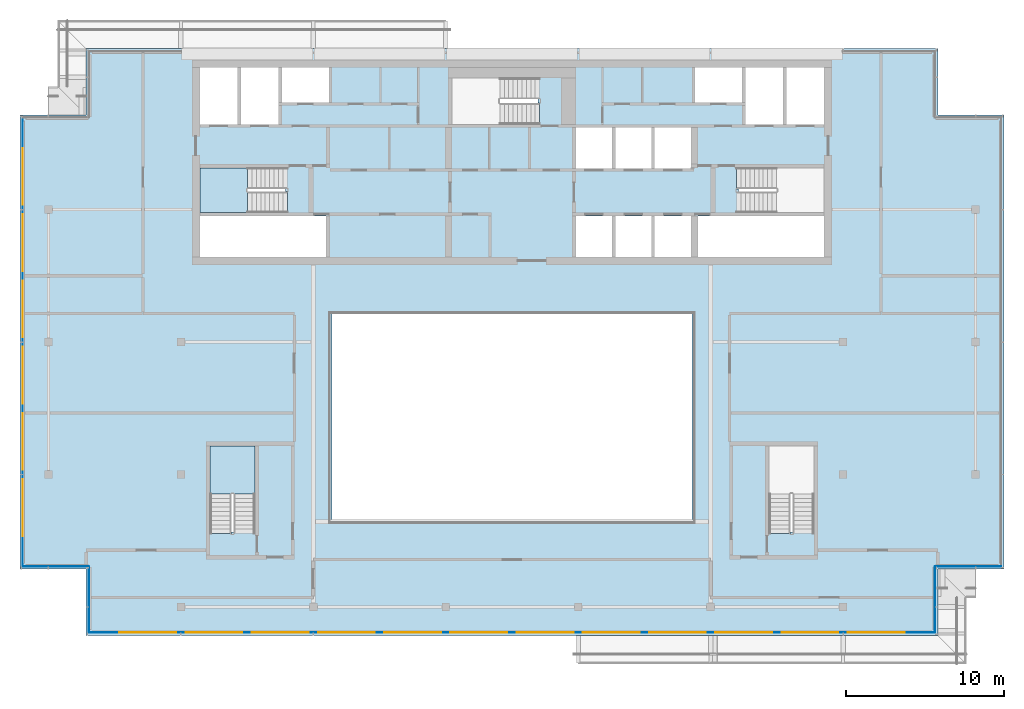
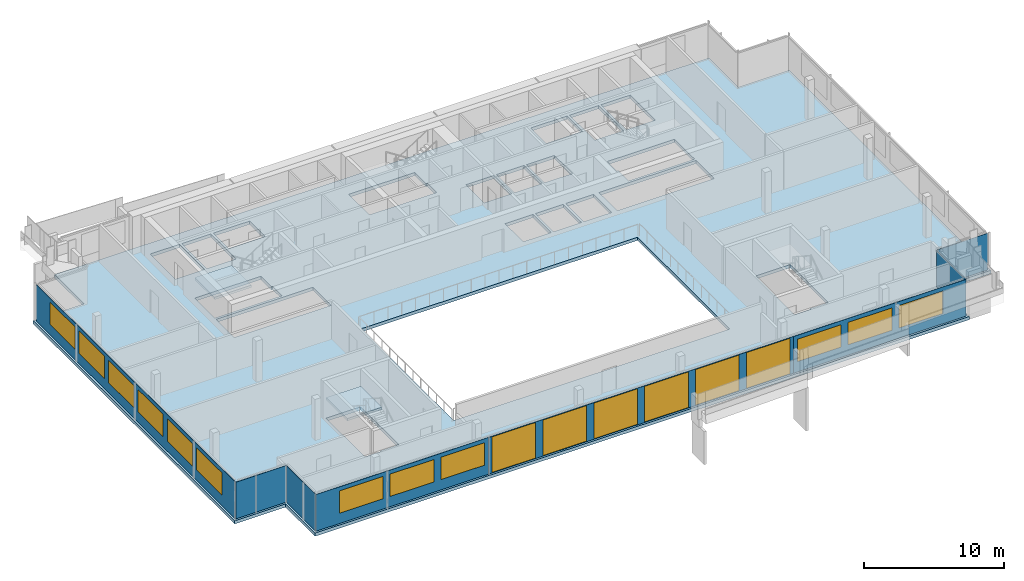
# One storey, part 10 of 21: 18 windows, 8 plates, 3 slabs, 18 openings, 8 elements without a shape of their own.
"""IFC4 building model written with IfcOpenShell, lengths in metres."""

from ifc_helpers import new_model, si_unit, direction, frame, frame_2d, origin, place, context, subcontext, project, spatial, polyline, rectangle, outline, extrude, material, layer, layer_set, type_object, element, fill, aggregate, save


model = new_model("IFC4")

# Units and contexts
model_context = context("Model", 3, precision=1e-05, world=origin(), true_north=direction((0.0, 1.0)))
body_context = subcontext(model_context, "Body", "Model", "MODEL_VIEW")
ifc_project = project(units=[si_unit("LENGTHUNIT", "METRE"), si_unit("AREAUNIT", "SQUARE_METRE"), si_unit("VOLUMEUNIT", "CUBIC_METRE"), si_unit("PLANEANGLEUNIT", "RADIAN"), si_unit("MASSUNIT", "GRAM", prefix="KILO")], contexts=[model_context])

# Site, building, storey
site_placement = place(None, origin())
site = spatial("IfcSite", under=ifc_project, at=site_placement, CompositionType="ELEMENT")
building_placement = place(site_placement, origin())
building = spatial("IfcBuilding", under=site, at=building_placement, Name="Saffron Gate Tower", CompositionType="ELEMENT")
storey_placement = place(building_placement, frame((0.0, 0.0, 299.550048828125)))
storey = spatial("IfcBuildingStorey", under=building, at=storey_placement, Name="L73", CompositionType="ELEMENT", Elevation=299.550048828125)

# Curtain wall, plates, openings, windows
ifc_material_1 = material(Name="Aluminium, bronze anodised", Category="aluminium")
curtain_wall_type_1 = type_object("IfcCurtainWallType", Name="CWS1 curtain wall front facade", PredefinedType="NOTDEFINED", material=ifc_material_1)
curtain_wall_1_placement = place(storey_placement, origin())
curtain_wall_1 = element("IfcCurtainWall", 1, at=curtain_wall_1_placement, inside=storey, type_object=curtain_wall_type_1, Name="CWS1 run 1", PredefinedType="NOTDEFINED")
ifc_material_2 = material(Name="Clear low-iron laminated glass", Category="glass")
ifc_layer_1 = layer(ifc_material_2, 0.028076171875)
ifc_layer_set_1 = layer_set([ifc_layer_1], Name="CWS1 clear glass")
plate_type_1 = type_object("IfcPlateType", Name="CWS1 clear glass", PredefinedType="CURTAIN_PANEL", material=ifc_layer_set_1)
plate_1_placement = place(storey_placement, frame((75.030029296875, 38.573974609375, 0.0), z_axis=(0.0, 0.0, 1.0), x_axis=(1.0, 0.0, 0.0)))
plate_1 = element("IfcPlate", 2, at=plate_1_placement, type_object=plate_type_1, Name="CWS1 clear glass panel", PredefinedType="CURTAIN_PANEL", context=body_context, shape_type="SweptSolid", body=[
    extrude(rectangle(XDim=25.139892578125, YDim=0.028076171875, at=frame_2d((12.56982421875, 0.0))), origin(), (0.0, 0.0, 1.0), 3.199951171875),
])
opening_1_placement = place(plate_1_placement, frame((0.27001953125, 0.0, 0.050048828125)))
opening_1 = element("IfcOpeningElement", 3, at=opening_1_placement, cuts=plate_1, Name="Opening WA", PredefinedType="OPENING", context=body_context, shape_type="SweptSolid", body=[
    extrude(rectangle(XDim=3.60009765625, YDim=3.10009765625, at=frame_2d((1.800048828125, 1.550048828125))), frame((0.0, 0.02392578125, 0.0), z_axis=(0.0, -1.0, 0.0), x_axis=(1.0, 0.0, 0.0)), (0.0, 0.0, 1.0), 0.048095703125),
])
opening_2_placement = place(plate_1_placement, frame((4.469970703125, 0.0, 0.050048828125)))
opening_2 = element("IfcOpeningElement", 4, at=opening_2_placement, cuts=plate_1, Name="Opening WA", PredefinedType="OPENING", context=body_context, shape_type="SweptSolid", body=[
    extrude(rectangle(XDim=3.60009765625, YDim=3.10009765625, at=frame_2d((1.800048828125, 1.550048828125))), frame((0.0, 0.02392578125, 0.0), z_axis=(0.0, -1.0, 0.0), x_axis=(1.0, 0.0, 0.0)), (0.0, 0.0, 1.0), 0.048095703125),
])
opening_3_placement = place(plate_1_placement, frame((8.669921875, 0.0, 0.050048828125)))
opening_3 = element("IfcOpeningElement", 5, at=opening_3_placement, cuts=plate_1, Name="Opening WA", PredefinedType="OPENING", context=body_context, shape_type="SweptSolid", body=[
    extrude(rectangle(XDim=3.60009765625, YDim=3.10009765625, at=frame_2d((1.800048828125, 1.550048828125))), frame((0.0, 0.02392578125, 0.0), z_axis=(0.0, -1.0, 0.0), x_axis=(1.0, 0.0, 0.0)), (0.0, 0.0, 1.0), 0.048095703125),
])
opening_4_placement = place(plate_1_placement, frame((12.8701171875, 0.0, 0.050048828125)))
opening_4 = element("IfcOpeningElement", 6, at=opening_4_placement, cuts=plate_1, Name="Opening WA", PredefinedType="OPENING", context=body_context, shape_type="SweptSolid", body=[
    extrude(rectangle(XDim=3.60009765625, YDim=3.10009765625, at=frame_2d((1.800048828125, 1.550048828125))), frame((0.0, 0.02392578125, 0.0), z_axis=(0.0, -1.0, 0.0), x_axis=(1.0, 0.0, 0.0)), (0.0, 0.0, 1.0), 0.048095703125),
])
opening_5_placement = place(plate_1_placement, frame((17.070068359375, 0.0, 0.050048828125)))
opening_5 = element("IfcOpeningElement", 7, at=opening_5_placement, cuts=plate_1, Name="Opening WA", PredefinedType="OPENING", context=body_context, shape_type="SweptSolid", body=[
    extrude(rectangle(XDim=3.60009765625, YDim=3.10009765625, at=frame_2d((1.800048828125, 1.550048828125))), frame((0.0, 0.02392578125, 0.0), z_axis=(0.0, -1.0, 0.0), x_axis=(1.0, 0.0, 0.0)), (0.0, 0.0, 1.0), 0.048095703125),
])
opening_6_placement = place(plate_1_placement, frame((21.27001953125, 0.0, 0.050048828125)))
opening_6 = element("IfcOpeningElement", 8, at=opening_6_placement, cuts=plate_1, Name="Opening WA", PredefinedType="OPENING", context=body_context, shape_type="SweptSolid", body=[
    extrude(rectangle(XDim=3.60009765625, YDim=3.10009765625, at=frame_2d((1.800048828125, 1.550048828125))), frame((0.0, 0.02392578125, 0.0), z_axis=(0.0, -1.0, 0.0), x_axis=(1.0, 0.0, 0.0)), (0.0, 0.0, 1.0), 0.048095703125),
])
ifc_material_3 = material(Name="Clear low-iron laminated glass in bronze frame", Category="glass")
ifc_layer_2 = layer(ifc_material_3, 0.06005859375)
ifc_layer_set_2 = layer_set([ifc_layer_2], Name="WA operable atrium unit 3600x3100")
window_type_1 = type_object("IfcWindowType", Name="WA operable atrium unit 3600x3100", PartitioningType="DOUBLE_PANEL_HORIZONTAL", PredefinedType="WINDOW", material=ifc_layer_set_2)
window_1_placement = place(opening_1_placement, origin())
window_1 = element("IfcWindow", 9, at=window_1_placement, type_object=window_type_1, Name="WA operable atrium unit", OverallHeight=3.10009765625, OverallWidth=3.60009765625, PartitioningType="SINGLE_PANEL", PredefinedType="WINDOW", context=body_context, shape_type="SweptSolid", body=[
    extrude(rectangle(XDim=3.60009765625, YDim=3.10009765625, at=frame_2d((1.800048828125, 1.550048828125))), frame((0.0, 0.013671875, 0.0), z_axis=(0.0, -1.0, 0.0), x_axis=(1.0, 0.0, 0.0)), (0.0, 0.0, 1.0), 0.027587890625),
])
fill(opening_1, window_1)
window_2_placement = place(opening_2_placement, origin())
window_2 = element("IfcWindow", 10, at=window_2_placement, type_object=window_type_1, Name="WA operable atrium unit", OverallHeight=3.10009765625, OverallWidth=3.60009765625, PartitioningType="SINGLE_PANEL", PredefinedType="WINDOW", context=body_context, shape_type="SweptSolid", body=[
    extrude(rectangle(XDim=3.60009765625, YDim=3.10009765625, at=frame_2d((1.800048828125, 1.550048828125))), frame((0.0, 0.013671875, 0.0), z_axis=(0.0, -1.0, 0.0), x_axis=(1.0, 0.0, 0.0)), (0.0, 0.0, 1.0), 0.027587890625),
])
fill(opening_2, window_2)
window_3_placement = place(opening_3_placement, origin())
window_3 = element("IfcWindow", 11, at=window_3_placement, type_object=window_type_1, Name="WA operable atrium unit", OverallHeight=3.10009765625, OverallWidth=3.60009765625, PartitioningType="SINGLE_PANEL", PredefinedType="WINDOW", context=body_context, shape_type="SweptSolid", body=[
    extrude(rectangle(XDim=3.60009765625, YDim=3.10009765625, at=frame_2d((1.800048828125, 1.550048828125))), frame((0.0, 0.013671875, 0.0), z_axis=(0.0, -1.0, 0.0), x_axis=(1.0, 0.0, 0.0)), (0.0, 0.0, 1.0), 0.027587890625),
])
fill(opening_3, window_3)
window_4_placement = place(opening_4_placement, origin())
window_4 = element("IfcWindow", 12, at=window_4_placement, type_object=window_type_1, Name="WA operable atrium unit", OverallHeight=3.10009765625, OverallWidth=3.60009765625, PartitioningType="SINGLE_PANEL", PredefinedType="WINDOW", context=body_context, shape_type="SweptSolid", body=[
    extrude(rectangle(XDim=3.60009765625, YDim=3.10009765625, at=frame_2d((1.800048828125, 1.550048828125))), frame((0.0, 0.013671875, 0.0), z_axis=(0.0, -1.0, 0.0), x_axis=(1.0, 0.0, 0.0)), (0.0, 0.0, 1.0), 0.027587890625),
])
fill(opening_4, window_4)
window_5_placement = place(opening_5_placement, origin())
window_5 = element("IfcWindow", 13, at=window_5_placement, type_object=window_type_1, Name="WA operable atrium unit", OverallHeight=3.10009765625, OverallWidth=3.60009765625, PartitioningType="SINGLE_PANEL", PredefinedType="WINDOW", context=body_context, shape_type="SweptSolid", body=[
    extrude(rectangle(XDim=3.60009765625, YDim=3.10009765625, at=frame_2d((1.800048828125, 1.550048828125))), frame((0.0, 0.013671875, 0.0), z_axis=(0.0, -1.0, 0.0), x_axis=(1.0, 0.0, 0.0)), (0.0, 0.0, 1.0), 0.027587890625),
])
fill(opening_5, window_5)
window_6_placement = place(opening_6_placement, origin())
window_6 = element("IfcWindow", 14, at=window_6_placement, type_object=window_type_1, Name="WA operable atrium unit", OverallHeight=3.10009765625, OverallWidth=3.60009765625, PartitioningType="SINGLE_PANEL", PredefinedType="WINDOW", context=body_context, shape_type="SweptSolid", body=[
    extrude(rectangle(XDim=3.60009765625, YDim=3.10009765625, at=frame_2d((1.800048828125, 1.550048828125))), frame((0.0, 0.013671875, 0.0), z_axis=(0.0, -1.0, 0.0), x_axis=(1.0, 0.0, 0.0)), (0.0, 0.0, 1.0), 0.027587890625),
])
fill(opening_6, window_6)
ifc_material_4 = material(Name="Fritted bronze-tinted laminated glass", Category="glass")
ifc_layer_3 = layer(ifc_material_4, 0.028076171875)
ifc_layer_set_3 = layer_set([ifc_layer_3], Name="CWS1 fixed glass")
plate_type_2 = type_object("IfcPlateType", Name="CWS1 fixed glass", PredefinedType="CURTAIN_PANEL", material=ifc_layer_set_3)
plate_2_placement = place(storey_placement, frame((60.7880859375, 38.573974609375, 0.0), z_axis=(0.0, 0.0, 1.0), x_axis=(1.0, 0.0, 0.0)))
plate_2 = element("IfcPlate", 15, at=plate_2_placement, type_object=plate_type_2, Name="CWS1 glass panel", PredefinedType="CURTAIN_PANEL", context=body_context, shape_type="SweptSolid", body=[
    extrude(rectangle(XDim=14.241943359375, YDim=0.028076171875, at=frame_2d((7.12109375, 0.0))), origin(), (0.0, 0.0, 1.0), 3.199951171875),
])
opening_7_placement = place(plate_2_placement, frame((1.912109375, 0.0, 0.89990234375)))
opening_7 = element("IfcOpeningElement", 16, at=opening_7_placement, cuts=plate_2, Name="Opening W1", PredefinedType="OPENING", context=body_context, shape_type="SweptSolid", body=[
    extrude(rectangle(XDim=3.60009765625, YDim=1.949951171875, at=frame_2d((1.800048828125, 0.97509765625))), frame((0.0, 0.02392578125, 0.0), z_axis=(0.0, -1.0, 0.0), x_axis=(1.0, 0.0, 0.0)), (0.0, 0.0, 1.0), 0.048095703125),
])
opening_8_placement = place(plate_2_placement, frame((6.112060546875, 0.0, 0.89990234375)))
opening_8 = element("IfcOpeningElement", 17, at=opening_8_placement, cuts=plate_2, Name="Opening W1", PredefinedType="OPENING", context=body_context, shape_type="SweptSolid", body=[
    extrude(rectangle(XDim=3.60009765625, YDim=1.949951171875, at=frame_2d((1.800048828125, 0.97509765625))), frame((0.0, 0.02392578125, 0.0), z_axis=(0.0, -1.0, 0.0), x_axis=(1.0, 0.0, 0.0)), (0.0, 0.0, 1.0), 0.048095703125),
])
opening_9_placement = place(plate_2_placement, frame((10.31201171875, 0.0, 0.89990234375)))
opening_9 = element("IfcOpeningElement", 18, at=opening_9_placement, cuts=plate_2, Name="Opening W1", PredefinedType="OPENING", context=body_context, shape_type="SweptSolid", body=[
    extrude(rectangle(XDim=3.60009765625, YDim=1.949951171875, at=frame_2d((1.800048828125, 0.97509765625))), frame((0.0, 0.02392578125, 0.0), z_axis=(0.0, -1.0, 0.0), x_axis=(1.0, 0.0, 0.0)), (0.0, 0.0, 1.0), 0.048095703125),
])
ifc_material_5 = material(Name="Fritted bronze-tinted laminated glass in bronze frame", Category="glass")
ifc_layer_4 = layer(ifc_material_5, 0.06005859375)
ifc_layer_set_4 = layer_set([ifc_layer_4], Name="W1 operable panel 3600x1950")
window_type_2 = type_object("IfcWindowType", Name="W1 operable panel 3600x1950", PartitioningType="DOUBLE_PANEL_HORIZONTAL", PredefinedType="WINDOW", material=ifc_layer_set_4)
window_7_placement = place(opening_7_placement, origin())
window_7 = element("IfcWindow", 19, at=window_7_placement, type_object=window_type_2, Name="W1 operable panel", OverallHeight=1.949951171875, OverallWidth=3.60009765625, PartitioningType="SINGLE_PANEL", PredefinedType="WINDOW", context=body_context, shape_type="SweptSolid", body=[
    extrude(rectangle(XDim=3.60009765625, YDim=1.949951171875, at=frame_2d((1.800048828125, 0.97509765625))), frame((0.0, 0.013671875, 0.0), z_axis=(0.0, -1.0, 0.0), x_axis=(1.0, 0.0, 0.0)), (0.0, 0.0, 1.0), 0.027587890625),
])
fill(opening_7, window_7)
window_8_placement = place(opening_8_placement, origin())
window_8 = element("IfcWindow", 20, at=window_8_placement, type_object=window_type_2, Name="W1 operable panel", OverallHeight=1.949951171875, OverallWidth=3.60009765625, PartitioningType="SINGLE_PANEL", PredefinedType="WINDOW", context=body_context, shape_type="SweptSolid", body=[
    extrude(rectangle(XDim=3.60009765625, YDim=1.949951171875, at=frame_2d((1.800048828125, 0.97509765625))), frame((0.0, 0.013671875, 0.0), z_axis=(0.0, -1.0, 0.0), x_axis=(1.0, 0.0, 0.0)), (0.0, 0.0, 1.0), 0.027587890625),
])
fill(opening_8, window_8)
window_9_placement = place(opening_9_placement, origin())
window_9 = element("IfcWindow", 21, at=window_9_placement, type_object=window_type_2, Name="W1 operable panel", OverallHeight=1.949951171875, OverallWidth=3.60009765625, PartitioningType="SINGLE_PANEL", PredefinedType="WINDOW", context=body_context, shape_type="SweptSolid", body=[
    extrude(rectangle(XDim=3.60009765625, YDim=1.949951171875, at=frame_2d((1.800048828125, 0.97509765625))), frame((0.0, 0.013671875, 0.0), z_axis=(0.0, -1.0, 0.0), x_axis=(1.0, 0.0, 0.0)), (0.0, 0.0, 1.0), 0.027587890625),
])
fill(opening_9, window_9)
plate_3_placement = place(storey_placement, frame((100.169921875, 38.573974609375, 0.0), z_axis=(0.0, 0.0, 1.0), x_axis=(1.0, 0.0, 0.0)))
plate_3 = element("IfcPlate", 22, at=plate_3_placement, type_object=plate_type_2, Name="CWS1 glass panel", PredefinedType="CURTAIN_PANEL", context=body_context, shape_type="SweptSolid", body=[
    extrude(rectangle(XDim=14.2421875, YDim=0.028076171875, at=frame_2d((7.12109375, 0.0))), origin(), (0.0, 0.0, 1.0), 3.199951171875),
])
opening_10_placement = place(plate_3_placement, frame((0.330078125, 0.0, 0.89990234375)))
opening_10 = element("IfcOpeningElement", 23, at=opening_10_placement, cuts=plate_3, Name="Opening W1", PredefinedType="OPENING", context=body_context, shape_type="SweptSolid", body=[
    extrude(rectangle(XDim=3.60009765625, YDim=1.949951171875, at=frame_2d((1.800048828125, 0.97509765625))), frame((0.0, 0.02392578125, 0.0), z_axis=(0.0, -1.0, 0.0), x_axis=(1.0, 0.0, 0.0)), (0.0, 0.0, 1.0), 0.048095703125),
])
opening_11_placement = place(plate_3_placement, frame((4.530029296875, 0.0, 0.89990234375)))
opening_11 = element("IfcOpeningElement", 24, at=opening_11_placement, cuts=plate_3, Name="Opening W1", PredefinedType="OPENING", context=body_context, shape_type="SweptSolid", body=[
    extrude(rectangle(XDim=3.60009765625, YDim=1.949951171875, at=frame_2d((1.800048828125, 0.97509765625))), frame((0.0, 0.02392578125, 0.0), z_axis=(0.0, -1.0, 0.0), x_axis=(1.0, 0.0, 0.0)), (0.0, 0.0, 1.0), 0.048095703125),
])
opening_12_placement = place(plate_3_placement, frame((8.72998046875, 0.0, 0.89990234375)))
opening_12 = element("IfcOpeningElement", 25, at=opening_12_placement, cuts=plate_3, Name="Opening W1", PredefinedType="OPENING", context=body_context, shape_type="SweptSolid", body=[
    extrude(rectangle(XDim=3.60009765625, YDim=1.949951171875, at=frame_2d((1.800048828125, 0.97509765625))), frame((0.0, 0.02392578125, 0.0), z_axis=(0.0, -1.0, 0.0), x_axis=(1.0, 0.0, 0.0)), (0.0, 0.0, 1.0), 0.048095703125),
])
window_10_placement = place(opening_10_placement, origin())
window_10 = element("IfcWindow", 26, at=window_10_placement, type_object=window_type_2, Name="W1 operable panel", OverallHeight=1.949951171875, OverallWidth=3.60009765625, PartitioningType="SINGLE_PANEL", PredefinedType="WINDOW", context=body_context, shape_type="SweptSolid", body=[
    extrude(rectangle(XDim=3.60009765625, YDim=1.949951171875, at=frame_2d((1.800048828125, 0.97509765625))), frame((0.0, 0.013671875, 0.0), z_axis=(0.0, -1.0, 0.0), x_axis=(1.0, 0.0, 0.0)), (0.0, 0.0, 1.0), 0.027587890625),
])
fill(opening_10, window_10)
window_11_placement = place(opening_11_placement, origin())
window_11 = element("IfcWindow", 27, at=window_11_placement, type_object=window_type_2, Name="W1 operable panel", OverallHeight=1.949951171875, OverallWidth=3.60009765625, PartitioningType="SINGLE_PANEL", PredefinedType="WINDOW", context=body_context, shape_type="SweptSolid", body=[
    extrude(rectangle(XDim=3.60009765625, YDim=1.949951171875, at=frame_2d((1.800048828125, 0.97509765625))), frame((0.0, 0.013671875, 0.0), z_axis=(0.0, -1.0, 0.0), x_axis=(1.0, 0.0, 0.0)), (0.0, 0.0, 1.0), 0.027587890625),
])
fill(opening_11, window_11)
window_12_placement = place(opening_12_placement, origin())
window_12 = element("IfcWindow", 28, at=window_12_placement, type_object=window_type_2, Name="W1 operable panel", OverallHeight=1.949951171875, OverallWidth=3.60009765625, PartitioningType="SINGLE_PANEL", PredefinedType="WINDOW", context=body_context, shape_type="SweptSolid", body=[
    extrude(rectangle(XDim=3.60009765625, YDim=1.949951171875, at=frame_2d((1.800048828125, 0.97509765625))), frame((0.0, 0.013671875, 0.0), z_axis=(0.0, -1.0, 0.0), x_axis=(1.0, 0.0, 0.0)), (0.0, 0.0, 1.0), 0.027587890625),
])
fill(opening_12, window_12)
aggregate(curtain_wall_1, [plate_2, plate_3, plate_1, window_7, window_8, window_9, window_10, window_11, window_12, window_1, window_2, window_3, window_4, window_5, window_6])

# Curtain wall, plate, openings, windows
curtain_wall_type_2 = type_object("IfcCurtainWallType", Name="CWS2 curtain wall side facades", PredefinedType="NOTDEFINED", material=ifc_material_1)
curtain_wall_2_placement = place(storey_placement, origin())
curtain_wall_2 = element("IfcCurtainWall", 29, at=curtain_wall_2_placement, inside=storey, type_object=curtain_wall_type_2, Name="CWS2 run 10", PredefinedType="NOTDEFINED")
ifc_layer_5 = layer(ifc_material_4, 0.028076171875)
ifc_layer_set_5 = layer_set([ifc_layer_5], Name="CWS2 fixed glass")
plate_type_3 = type_object("IfcPlateType", Name="CWS2 fixed glass", PredefinedType="CURTAIN_PANEL", material=ifc_layer_set_5)
plate_4_placement = place(storey_placement, frame((56.573974609375, 71.2119140625, 0.0), z_axis=(0.0, 0.0, 1.0), x_axis=(0.0, -1.0, 0.0)))
plate_4 = element("IfcPlate", 30, at=plate_4_placement, type_object=plate_type_3, Name="CWS2 glass panel", PredefinedType="CURTAIN_PANEL", context=body_context, shape_type="SweptSolid", body=[
    extrude(rectangle(XDim=28.423828125, YDim=0.028076171875, at=frame_2d((14.2119140625, 0.0))), origin(), (0.0, 0.0, 1.0), 3.199951171875),
])
opening_13_placement = place(plate_4_placement, frame((1.912109375, 0.0, 0.89990234375)))
opening_13 = element("IfcOpeningElement", 31, at=opening_13_placement, cuts=plate_4, Name="Opening W1", PredefinedType="OPENING", context=body_context, shape_type="SweptSolid", body=[
    extrude(rectangle(XDim=3.60009765625, YDim=1.949951171875, at=frame_2d((1.800048828125, 0.97509765625))), frame((0.0, 0.02392578125, 0.0), z_axis=(0.0, -1.0, 0.0), x_axis=(1.0, 0.0, 0.0)), (0.0, 0.0, 1.0), 0.048095703125),
])
opening_14_placement = place(plate_4_placement, frame((6.112060546875, 0.0, 0.89990234375)))
opening_14 = element("IfcOpeningElement", 32, at=opening_14_placement, cuts=plate_4, Name="Opening W1", PredefinedType="OPENING", context=body_context, shape_type="SweptSolid", body=[
    extrude(rectangle(XDim=3.60009765625, YDim=1.949951171875, at=frame_2d((1.800048828125, 0.97509765625))), frame((0.0, 0.02392578125, 0.0), z_axis=(0.0, -1.0, 0.0), x_axis=(1.0, 0.0, 0.0)), (0.0, 0.0, 1.0), 0.048095703125),
])
opening_15_placement = place(plate_4_placement, frame((10.31201171875, 0.0, 0.89990234375)))
opening_15 = element("IfcOpeningElement", 33, at=opening_15_placement, cuts=plate_4, Name="Opening W1", PredefinedType="OPENING", context=body_context, shape_type="SweptSolid", body=[
    extrude(rectangle(XDim=3.60009765625, YDim=1.949951171875, at=frame_2d((1.800048828125, 0.97509765625))), frame((0.0, 0.02392578125, 0.0), z_axis=(0.0, -1.0, 0.0), x_axis=(1.0, 0.0, 0.0)), (0.0, 0.0, 1.0), 0.048095703125),
])
opening_16_placement = place(plate_4_placement, frame((14.511962890625, 0.0, 0.89990234375)))
opening_16 = element("IfcOpeningElement", 34, at=opening_16_placement, cuts=plate_4, Name="Opening W1", PredefinedType="OPENING", context=body_context, shape_type="SweptSolid", body=[
    extrude(rectangle(XDim=3.60009765625, YDim=1.949951171875, at=frame_2d((1.800048828125, 0.97509765625))), frame((0.0, 0.02392578125, 0.0), z_axis=(0.0, -1.0, 0.0), x_axis=(1.0, 0.0, 0.0)), (0.0, 0.0, 1.0), 0.048095703125),
])
opening_17_placement = place(plate_4_placement, frame((18.7119140625, 0.0, 0.89990234375)))
opening_17 = element("IfcOpeningElement", 35, at=opening_17_placement, cuts=plate_4, Name="Opening W1", PredefinedType="OPENING", context=body_context, shape_type="SweptSolid", body=[
    extrude(rectangle(XDim=3.60009765625, YDim=1.949951171875, at=frame_2d((1.800048828125, 0.97509765625))), frame((0.0, 0.02392578125, 0.0), z_axis=(0.0, -1.0, 0.0), x_axis=(1.0, 0.0, 0.0)), (0.0, 0.0, 1.0), 0.048095703125),
])
opening_18_placement = place(plate_4_placement, frame((22.912109375, 0.0, 0.89990234375)))
opening_18 = element("IfcOpeningElement", 36, at=opening_18_placement, cuts=plate_4, Name="Opening W1", PredefinedType="OPENING", context=body_context, shape_type="SweptSolid", body=[
    extrude(rectangle(XDim=3.60009765625, YDim=1.949951171875, at=frame_2d((1.800048828125, 0.97509765625))), frame((0.0, 0.02392578125, 0.0), z_axis=(0.0, -1.0, 0.0), x_axis=(1.0, 0.0, 0.0)), (0.0, 0.0, 1.0), 0.048095703125),
])
window_13_placement = place(opening_13_placement, origin())
window_13 = element("IfcWindow", 37, at=window_13_placement, type_object=window_type_2, Name="W1 operable panel", OverallHeight=1.949951171875, OverallWidth=3.60009765625, PartitioningType="SINGLE_PANEL", PredefinedType="WINDOW", context=body_context, shape_type="SweptSolid", body=[
    extrude(rectangle(XDim=3.60009765625, YDim=1.949951171875, at=frame_2d((1.800048828125, 0.97509765625))), frame((0.0, 0.013671875, 0.0), z_axis=(0.0, -1.0, 0.0), x_axis=(1.0, 0.0, 0.0)), (0.0, 0.0, 1.0), 0.027587890625),
])
fill(opening_13, window_13)
window_14_placement = place(opening_14_placement, origin())
window_14 = element("IfcWindow", 38, at=window_14_placement, type_object=window_type_2, Name="W1 operable panel", OverallHeight=1.949951171875, OverallWidth=3.60009765625, PartitioningType="SINGLE_PANEL", PredefinedType="WINDOW", context=body_context, shape_type="SweptSolid", body=[
    extrude(rectangle(XDim=3.60009765625, YDim=1.949951171875, at=frame_2d((1.800048828125, 0.97509765625))), frame((0.0, 0.013671875, 0.0), z_axis=(0.0, -1.0, 0.0), x_axis=(1.0, 0.0, 0.0)), (0.0, 0.0, 1.0), 0.027587890625),
])
fill(opening_14, window_14)
window_15_placement = place(opening_15_placement, origin())
window_15 = element("IfcWindow", 39, at=window_15_placement, type_object=window_type_2, Name="W1 operable panel", OverallHeight=1.949951171875, OverallWidth=3.60009765625, PartitioningType="SINGLE_PANEL", PredefinedType="WINDOW", context=body_context, shape_type="SweptSolid", body=[
    extrude(rectangle(XDim=3.60009765625, YDim=1.949951171875, at=frame_2d((1.800048828125, 0.97509765625))), frame((0.0, 0.013671875, 0.0), z_axis=(0.0, -1.0, 0.0), x_axis=(1.0, 0.0, 0.0)), (0.0, 0.0, 1.0), 0.027587890625),
])
fill(opening_15, window_15)
window_16_placement = place(opening_16_placement, origin())
window_16 = element("IfcWindow", 40, at=window_16_placement, type_object=window_type_2, Name="W1 operable panel", OverallHeight=1.949951171875, OverallWidth=3.60009765625, PartitioningType="SINGLE_PANEL", PredefinedType="WINDOW", context=body_context, shape_type="SweptSolid", body=[
    extrude(rectangle(XDim=3.60009765625, YDim=1.949951171875, at=frame_2d((1.800048828125, 0.97509765625))), frame((0.0, 0.013671875, 0.0), z_axis=(0.0, -1.0, 0.0), x_axis=(1.0, 0.0, 0.0)), (0.0, 0.0, 1.0), 0.027587890625),
])
fill(opening_16, window_16)
window_17_placement = place(opening_17_placement, origin())
window_17 = element("IfcWindow", 41, at=window_17_placement, type_object=window_type_2, Name="W1 operable panel", OverallHeight=1.949951171875, OverallWidth=3.60009765625, PartitioningType="SINGLE_PANEL", PredefinedType="WINDOW", context=body_context, shape_type="SweptSolid", body=[
    extrude(rectangle(XDim=3.60009765625, YDim=1.949951171875, at=frame_2d((1.800048828125, 0.97509765625))), frame((0.0, 0.013671875, 0.0), z_axis=(0.0, -1.0, 0.0), x_axis=(1.0, 0.0, 0.0)), (0.0, 0.0, 1.0), 0.027587890625),
])
fill(opening_17, window_17)
window_18_placement = place(opening_18_placement, origin())
window_18 = element("IfcWindow", 42, at=window_18_placement, type_object=window_type_2, Name="W1 operable panel", OverallHeight=1.949951171875, OverallWidth=3.60009765625, PartitioningType="SINGLE_PANEL", PredefinedType="WINDOW", context=body_context, shape_type="SweptSolid", body=[
    extrude(rectangle(XDim=3.60009765625, YDim=1.949951171875, at=frame_2d((1.800048828125, 0.97509765625))), frame((0.0, 0.013671875, 0.0), z_axis=(0.0, -1.0, 0.0), x_axis=(1.0, 0.0, 0.0)), (0.0, 0.0, 1.0), 0.027587890625),
])
fill(opening_18, window_18)
aggregate(curtain_wall_2, [plate_4, window_13, window_14, window_15, window_16, window_17, window_18])

# Curtain wall, plate
curtain_wall_type_3 = type_object("IfcCurtainWallType", Name="CWS4 curtain wall corner returns", PredefinedType="NOTDEFINED", material=ifc_material_1)
curtain_wall_3_placement = place(storey_placement, origin())
curtain_wall_3 = element("IfcCurtainWall", 43, at=curtain_wall_3_placement, inside=storey, type_object=curtain_wall_type_3, Name="CWS4 run 2", PredefinedType="NOTDEFINED")
ifc_layer_6 = layer(ifc_material_4, 0.028076171875)
ifc_layer_set_6 = layer_set([ifc_layer_6], Name="CWS4 fixed glass")
plate_type_4 = type_object("IfcPlateType", Name="CWS4 fixed glass", PredefinedType="CURTAIN_PANEL", material=ifc_layer_set_6)
plate_5_placement = place(storey_placement, frame((114.426025390625, 38.587890625, 0.0), z_axis=(0.0, 0.0, 1.0), x_axis=(0.0, 1.0, 0.0)))
plate_5 = element("IfcPlate", 44, at=plate_5_placement, type_object=plate_type_4, Name="CWS4 glass panel", PredefinedType="CURTAIN_PANEL", context=body_context, shape_type="SweptSolid", body=[
    extrude(rectangle(XDim=4.172119140625, YDim=0.028076171875, at=frame_2d((2.0859375, 0.0))), origin(), (0.0, 0.0, 1.0), 3.199951171875),
])
aggregate(curtain_wall_3, [plate_5])

curtain_wall_4_placement = place(storey_placement, origin())
curtain_wall_4 = element("IfcCurtainWall", 45, at=curtain_wall_4_placement, inside=storey, type_object=curtain_wall_type_3, Name="CWS4 run 3", PredefinedType="NOTDEFINED")
plate_6_placement = place(storey_placement, frame((114.43994140625, 42.77392578125, 0.0), z_axis=(0.0, 0.0, 1.0), x_axis=(1.0, 0.0, 0.0)))
plate_6 = element("IfcPlate", 46, at=plate_6_placement, type_object=plate_type_4, Name="CWS4 glass panel", PredefinedType="CURTAIN_PANEL", context=body_context, shape_type="SweptSolid", body=[
    extrude(rectangle(XDim=4.172119140625, YDim=0.028076171875, at=frame_2d((2.0859375, 0.0))), origin(), (0.0, 0.0, 1.0), 3.199951171875),
])
aggregate(curtain_wall_4, [plate_6])

curtain_wall_5_placement = place(storey_placement, origin())
curtain_wall_5 = element("IfcCurtainWall", 47, at=curtain_wall_5_placement, inside=storey, type_object=curtain_wall_type_3, Name="CWS4 run 11", PredefinedType="NOTDEFINED")
plate_7_placement = place(storey_placement, frame((56.587890625, 42.77392578125, 0.0), z_axis=(0.0, 0.0, 1.0), x_axis=(1.0, 0.0, 0.0)))
plate_7 = element("IfcPlate", 48, at=plate_7_placement, type_object=plate_type_4, Name="CWS4 glass panel", PredefinedType="CURTAIN_PANEL", context=body_context, shape_type="SweptSolid", body=[
    extrude(rectangle(XDim=4.172119140625, YDim=0.028076171875, at=frame_2d((2.0859375, 0.0))), origin(), (0.0, 0.0, 1.0), 3.199951171875),
])
aggregate(curtain_wall_5, [plate_7])

curtain_wall_6_placement = place(storey_placement, origin())
curtain_wall_6 = element("IfcCurtainWall", 49, at=curtain_wall_6_placement, inside=storey, type_object=curtain_wall_type_3, Name="CWS4 run 12", PredefinedType="NOTDEFINED")
plate_8_placement = place(storey_placement, frame((60.77392578125, 42.760009765625, 0.0), z_axis=(0.0, 0.0, 1.0), x_axis=(0.0, -1.0, 0.0)))
plate_8 = element("IfcPlate", 50, at=plate_8_placement, type_object=plate_type_4, Name="CWS4 glass panel", PredefinedType="CURTAIN_PANEL", context=body_context, shape_type="SweptSolid", body=[
    extrude(rectangle(XDim=4.172119140625, YDim=0.028076171875, at=frame_2d((2.0859375, 0.0))), origin(), (0.0, 0.0, 1.0), 3.199951171875),
])
aggregate(curtain_wall_6, [plate_8])

# Slab
ifc_material_6 = material(Name="Concrete C40", Category="concrete")
ifc_layer_7 = layer(ifc_material_6, 0.280029296875)
ifc_layer_set_7 = layer_set([ifc_layer_7], Name="S2 FLOOR SLAB 280 CONCRETE C40")
slab_type_1 = type_object("IfcSlabType", Name="S2 FLOOR SLAB 280 CONCRETE C40", PredefinedType="FLOOR", material=ifc_layer_set_7)
slab_1_placement = place(storey_placement, frame((0.0, 0.0, -0.280029296875)))
element("IfcSlab", 51, at=slab_1_placement, inside=storey, type_object=slab_type_1, Name="S2 FLOOR SLAB", PredefinedType="FLOOR", context=body_context, shape_type="SweptSolid", body=[
    extrude(outline(polyline([(56.39990234375, 42.60009765625), (60.60009765625, 42.60009765625), (60.60009765625, 38.39990234375), (114.60009765625, 38.39990234375), (114.60009765625, 42.60009765625), (118.800048828125, 42.60009765625), (118.800048828125, 71.39990234375), (114.60009765625, 71.39990234375), (114.60009765625, 75.60009765625), (60.60009765625, 75.60009765625), (60.60009765625, 71.39990234375), (56.39990234375, 71.39990234375), (56.39990234375, 42.60009765625)]), holes=[polyline([(67.800048828125, 62.39990234375), (67.800048828125, 65.0), (75.800048828125, 65.0), (75.800048828125, 62.39990234375), (67.800048828125, 62.39990234375)]), polyline([(67.800048828125, 65.199951171875), (67.800048828125, 68.050048828125), (73.25, 68.050048828125), (73.25, 66.550048828125), (73.34912109375, 66.550048828125), (73.34912109375, 65.199951171875), (67.800048828125, 65.199951171875)]), polyline([(67.800048828125, 70.800048828125), (67.800048828125, 74.39990234375), (70.199951171875, 74.39990234375), (70.199951171875, 70.800048828125), (67.800048828125, 70.800048828125)]), polyline([(68.449951171875, 44.85107421875), (68.449951171875, 50.39990234375), (71.300048828125, 50.39990234375), (71.300048828125, 44.949951171875), (69.800048828125, 44.949951171875), (69.800048828125, 44.85107421875), (68.449951171875, 44.85107421875)]), polyline([(70.39990234375, 70.800048828125), (70.39990234375, 74.39990234375), (72.800048828125, 74.39990234375), (72.800048828125, 70.800048828125), (70.39990234375, 70.800048828125)]), polyline([(73.0, 72.199951171875), (73.0, 74.39990234375), (76.0, 74.39990234375), (76.0, 72.199951171875), (73.0, 72.199951171875)]), polyline([(76.199951171875, 45.60009765625), (76.199951171875, 58.800048828125), (99.0, 58.800048828125), (99.0, 45.60009765625), (76.199951171875, 45.60009765625)]), polyline([(83.800048828125, 70.800048828125), (83.800048828125, 73.75), (89.25, 73.75), (89.25, 72.14990234375), (89.34912109375, 72.14990234375), (89.34912109375, 70.800048828125), (83.800048828125, 70.800048828125)]), polyline([(91.64990234375, 62.39990234375), (91.64990234375, 65.0), (93.949951171875, 65.0), (93.949951171875, 62.39990234375), (91.64990234375, 62.39990234375)]), polyline([(91.64990234375, 68.0), (91.64990234375, 70.60009765625), (93.949951171875, 70.60009765625), (93.949951171875, 68.0), (91.64990234375, 68.0)]), polyline([(94.14990234375, 62.39990234375), (94.14990234375, 65.0), (96.449951171875, 65.0), (96.449951171875, 62.39990234375), (94.14990234375, 62.39990234375)]), polyline([(94.14990234375, 68.0), (94.14990234375, 70.60009765625), (96.449951171875, 70.60009765625), (96.449951171875, 68.0), (94.14990234375, 68.0)]), polyline([(96.64990234375, 62.39990234375), (96.64990234375, 65.0), (98.949951171875, 65.0), (98.949951171875, 62.39990234375), (96.64990234375, 62.39990234375)]), polyline([(96.64990234375, 68.0), (96.64990234375, 70.60009765625), (98.949951171875, 70.60009765625), (98.949951171875, 68.0), (96.64990234375, 68.0)]), polyline([(99.199951171875, 72.199951171875), (99.199951171875, 74.39990234375), (102.199951171875, 74.39990234375), (102.199951171875, 72.199951171875), (99.199951171875, 72.199951171875)]), polyline([(99.39990234375, 62.39990234375), (99.39990234375, 65.0), (107.39990234375, 65.0), (107.39990234375, 62.39990234375), (99.39990234375, 62.39990234375)]), polyline([(101.85107421875, 66.699951171875), (101.85107421875, 68.050048828125), (107.39990234375, 68.050048828125), (107.39990234375, 65.199951171875), (101.949951171875, 65.199951171875), (101.949951171875, 66.699951171875), (101.85107421875, 66.699951171875)]), polyline([(102.39990234375, 70.800048828125), (102.39990234375, 74.39990234375), (104.800048828125, 74.39990234375), (104.800048828125, 70.800048828125), (102.39990234375, 70.800048828125)]), polyline([(103.89990234375, 44.85107421875), (103.89990234375, 50.39990234375), (106.75, 50.39990234375), (106.75, 44.949951171875), (105.25, 44.949951171875), (105.25, 44.85107421875), (103.89990234375, 44.85107421875)]), polyline([(105.0, 70.800048828125), (105.0, 74.39990234375), (107.39990234375, 74.39990234375), (107.39990234375, 70.800048828125), (105.0, 70.800048828125)])]), origin(), (0.0, 0.0, 1.0), 0.280029296875),
])

# Stair, slab
stair_type = type_object("IfcStairType", Name="ST7 Stair 1350 wide, 20 risers of 180", PredefinedType="HALF_TURN_STAIR", material=ifc_material_6)
stair_1_placement = place(storey_placement, origin())
stair_1 = element("IfcStair", 52, at=stair_1_placement, inside=storey, type_object=stair_type, Name="L73 Exit stair A", PredefinedType="HALF_TURN_STAIR")
ifc_layer_8 = layer(ifc_material_6, 0.199951171875)
ifc_layer_set_8 = layer_set([ifc_layer_8], Name="SL1 Stair landing 200")
slab_type_2 = type_object("IfcSlabType", Name="SL1 Stair landing 200", PredefinedType="LANDING", material=ifc_layer_set_8)
slab_2_placement = place(storey_placement, frame((0.0, 0.0, 1.599853515625)))
slab_2 = element("IfcSlab", 53, at=slab_2_placement, type_object=slab_type_2, Name="ST-A landing 1", PredefinedType="LANDING", context=body_context, shape_type="SweptSolid", body=[
    extrude(outline(polyline([(70.830078125, 68.050048828125), (67.800048828125, 68.050048828125), (67.800048828125, 65.199951171875), (70.830078125, 65.199951171875), (70.830078125, 68.050048828125)])), origin(), (0.0, 0.0, 1.0), 0.2001953125),
])
aggregate(stair_1, [slab_2])

stair_2_placement = place(storey_placement, origin())
stair_2 = element("IfcStair", 54, at=stair_2_placement, inside=storey, type_object=stair_type, Name="L73 Exit stair D", PredefinedType="HALF_TURN_STAIR")
slab_3_placement = place(storey_placement, frame((0.0, 0.0, 1.599853515625)))
slab_3 = element("IfcSlab", 55, at=slab_3_placement, type_object=slab_type_2, Name="ST-D landing 1", PredefinedType="LANDING", context=body_context, shape_type="SweptSolid", body=[
    extrude(outline(polyline([(71.300048828125, 47.3701171875), (71.300048828125, 50.39990234375), (68.449951171875, 50.39990234375), (68.449951171875, 47.3701171875), (71.300048828125, 47.3701171875)])), origin(), (0.0, 0.0, 1.0), 0.2001953125),
])
aggregate(stair_2, [slab_3])

save(model, "model.ifc")
